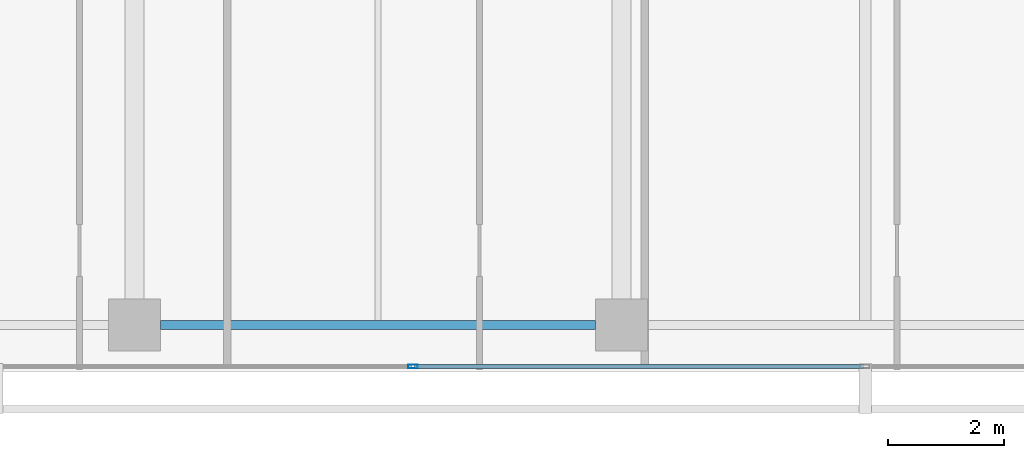
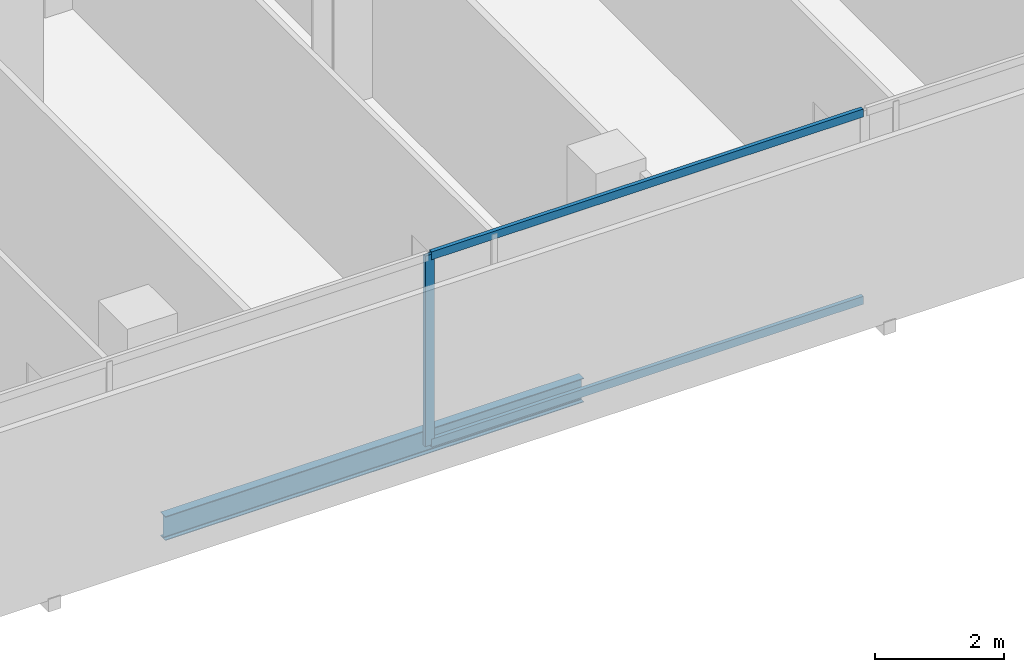
# One storey, part 7 of 40: 3 members, 1 beam, 1 element without a shape of its own.
"""IFC4 building model written with IfcOpenShell, lengths in metres."""

from ifc_helpers import new_model, si_unit, direction, frame, origin, origin_2d, place, context, subcontext, project, spatial, hollow_rectangle, i_section, extrude, material, layer, layer_set, material_profile, profile_set, type_object, element, aggregate, save


model = new_model("IFC4")

# Units and contexts
model_context = context("Model", 3, precision=1e-05, world=origin(), true_north=direction((0.0, 1.0)))
body_context = subcontext(model_context, "Body", "Model", "MODEL_VIEW")
ifc_project = project(units=[si_unit("LENGTHUNIT", "METRE"), si_unit("AREAUNIT", "SQUARE_METRE"), si_unit("VOLUMEUNIT", "CUBIC_METRE"), si_unit("PLANEANGLEUNIT", "RADIAN"), si_unit("MASSUNIT", "GRAM", prefix="KILO")], contexts=[model_context])

# Site, building, storey
site_placement = place(None, origin())
site = spatial("IfcSite", under=ifc_project, at=site_placement, CompositionType="ELEMENT")
building_placement = place(site_placement, origin())
building = spatial("IfcBuilding", under=site, at=building_placement, Name="Maruvema Waterfront Hotel and Observation Tower", CompositionType="ELEMENT")
storey_placement = place(building_placement, frame((0.0, 0.0, 80.85009765625)))
storey = spatial("IfcBuildingStorey", under=building, at=storey_placement, Name="L19", CompositionType="ELEMENT", Elevation=80.85009765625)

# Curtain wall, members
ifc_material_1 = material(Name="Anodised bronze aluminium and solar-control low-E IGU", Category="aluminium")
ifc_layer = layer(ifc_material_1, 0.159912109375, Name="Zone 1 Bronze Inner Thermal Curtain Wall System CW-02")
ifc_layer_set = layer_set([ifc_layer], Name="Anodised bronze aluminium and solar-control low-E IGU")
curtain_wall_type = type_object("IfcCurtainWallType", Name="Zone 1 Bronze Inner Thermal Curtain Wall System CW-02", PredefinedType="USERDEFINED", material=ifc_layer_set)
curtain_wall_placement = place(storey_placement, origin())
curtain_wall = element("IfcCurtainWall", 1, at=curtain_wall_placement, inside=storey, type_object=curtain_wall_type, Name="L19 Curtain Wall CW-L19-S", ObjectType="UNITISED CURTAIN WALL", PredefinedType="USERDEFINED")
ifc_material_2 = material(Name="Anodised architectural bronze aluminium", Category="aluminium")
ifc_material_profile_1 = material_profile(ifc_material_2, hollow_rectangle(XDim=0.070068359375, YDim=0.14990234375, WallThickness=0.00390625, at=origin_2d()), Name="ALU-T70x150")
ifc_profile_set_1 = profile_set([ifc_material_profile_1], Name="Anodised architectural bronze aluminium")
member_type_1 = type_object("IfcMemberType", Name="Curtain Wall Horizontal Transom ALU-T70x150", PredefinedType="USERDEFINED", material=ifc_profile_set_1)
member_1_placement = place(storey_placement, frame((30.030029296875, 0.080078125, 0.02978515625), z_axis=(1.0, 0.0, 0.0), x_axis=(0.0, 1.0, 0.0)))
member_1 = element("IfcMember", 2, at=member_1_placement, type_object=member_type_1, Name="CW-02 transom 3.1", ObjectType="TRANSOM", PredefinedType="USERDEFINED", context=body_context, shape_type="SweptSolid", body=[
    extrude(hollow_rectangle(XDim=0.070068359375, YDim=0.14990234375, WallThickness=0.00390625, at=origin_2d()), origin(), (0.0, 0.0, 1.0), 7.739990234375),
])
member_2_placement = place(storey_placement, frame((30.030029296875, 0.080078125, 3.579833984375), z_axis=(1.0, 0.0, 0.0), x_axis=(0.0, 1.0, 0.0)))
member_2 = element("IfcMember", 3, at=member_2_placement, type_object=member_type_1, Name="CW-02 transom 3.2", ObjectType="TRANSOM", PredefinedType="USERDEFINED", context=body_context, shape_type="SweptSolid", body=[
    extrude(hollow_rectangle(XDim=0.070068359375, YDim=0.14990234375, WallThickness=0.00390625, at=origin_2d()), origin(), (0.0, 0.0, 1.0), 7.739990234375),
])
ifc_material_3 = material(Name="Anodised architectural bronze aluminium", Category="aluminium")
ifc_material_profile_2 = material_profile(ifc_material_3, hollow_rectangle(XDim=0.06494140625, YDim=0.1650390625, WallThickness=0.00390625, at=origin_2d()), Name="ALU-M65x165")
ifc_profile_set_2 = profile_set([ifc_material_profile_2], Name="Anodised architectural bronze aluminium")
member_type_2 = type_object("IfcMemberType", Name="Curtain Wall Primary Mullion ALU-M65x165", PredefinedType="MULLION", material=ifc_profile_set_2)
member_3_placement = place(storey_placement, frame((30.0, 0.080078125, 0.0), z_axis=(0.0, 0.0, 1.0), x_axis=(0.0, 1.0, 0.0)))
member_3 = element("IfcMember", 4, at=member_3_placement, type_object=member_type_2, Name="CW-02 mullion 3", PredefinedType="MULLION", context=body_context, shape_type="SweptSolid", body=[
    extrude(hollow_rectangle(XDim=0.06494140625, YDim=0.1650390625, WallThickness=0.00390625, at=origin_2d()), origin(), (0.0, 0.0, 1.0), 3.60986328125),
])
aggregate(curtain_wall, [member_3, member_1, member_2])

# Beam
ifc_material_4 = material(Name="Steel ASTM A572 Grade 50", Category="steel")
ifc_material_profile_3 = material_profile(ifc_material_4, i_section(OverallWidth=0.153076171875, OverallDepth=0.455078125, WebThickness=0.008056640625, FlangeThickness=0.01318359375, FilletRadius=0.014892578125, at=origin_2d()), Name="W460x60.0")
ifc_profile_set_3 = profile_set([ifc_material_profile_3], Name="Steel ASTM A572 Grade 50")
beam_type = type_object("IfcBeamType", Name="Perimeter Spandrel Beam W460x60.0", PredefinedType="SPANDREL", material=ifc_profile_set_3)
beam_placement = place(storey_placement, frame((25.64990234375, 0.800048828125, -0.467529296875), z_axis=(1.0, 0.0, 0.0), x_axis=(0.0, 1.0, 0.0)))
element("IfcBeam", 5, at=beam_placement, inside=storey, type_object=beam_type, Name="L19 Floor Girder EW-02", PredefinedType="SPANDREL", context=body_context, shape_type="SweptSolid", body=[
    extrude(i_section(OverallWidth=0.153076171875, OverallDepth=0.455078125, WebThickness=0.008056640625, FlangeThickness=0.01318359375, FilletRadius=0.014892578125, at=origin_2d()), origin(), (0.0, 0.0, 1.0), 7.5),
])

save(model, "model.ifc")
